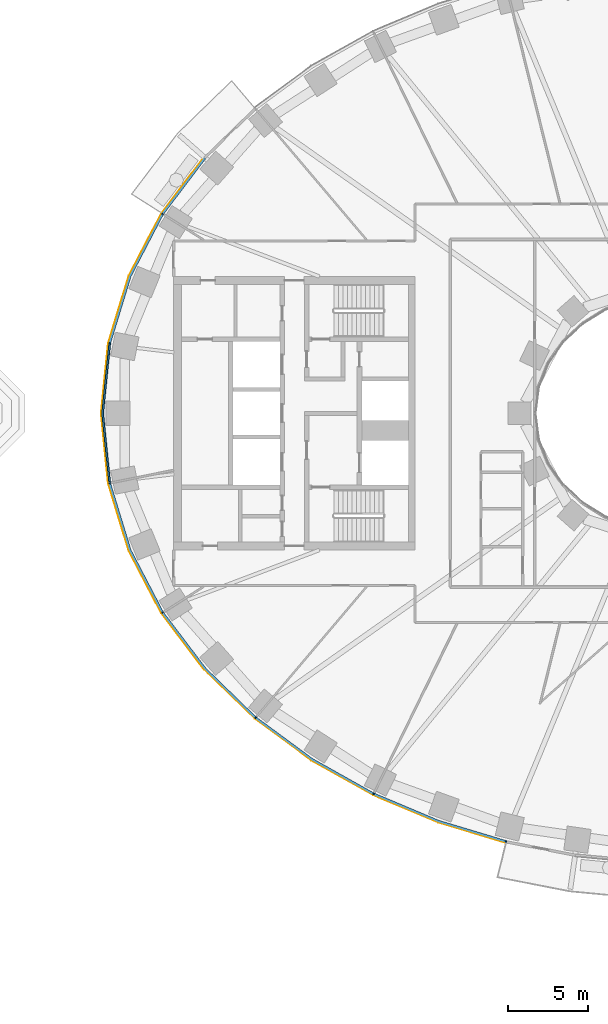
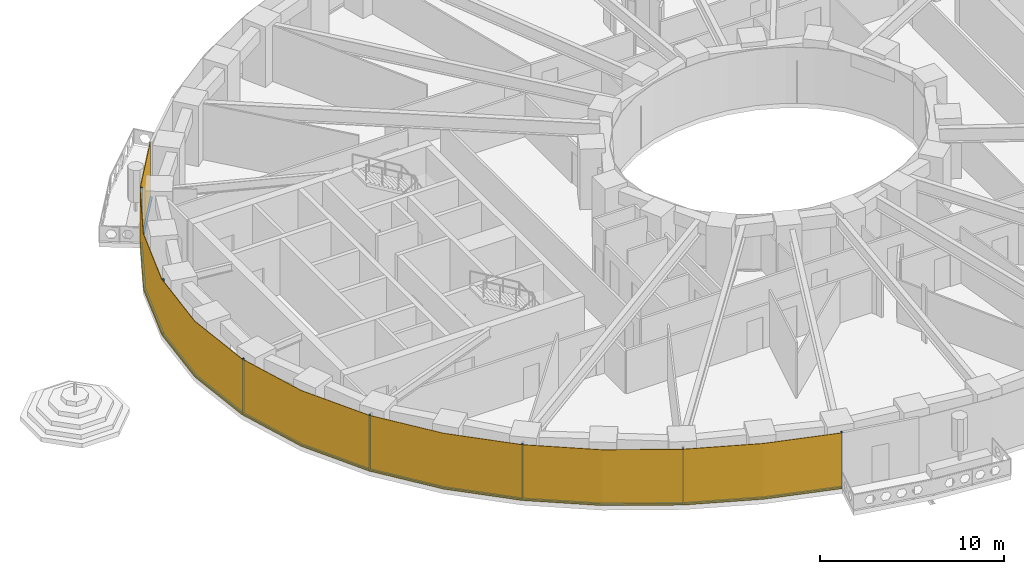
# One storey, part 8 of 20: 14 members, 1 curtain wall.
"""IFC4 building model written with IfcOpenShell, lengths in metres."""

from ifc_helpers import new_model, si_unit, direction, frame, origin, origin_2d, place, context, subcontext, project, spatial, polyline, rectangle, outline, extrude, material, layer, layer_set, material_profile, profile_set, type_object, element, aggregate, save


model = new_model("IFC4")

# Units and contexts
model_context = context("Model", 3, precision=1e-05, world=origin(), true_north=direction((0.0, 1.0)))
body_context = subcontext(model_context, "Body", "Model", "MODEL_VIEW")
ifc_project = project(units=[si_unit("LENGTHUNIT", "METRE"), si_unit("AREAUNIT", "SQUARE_METRE"), si_unit("VOLUMEUNIT", "CUBIC_METRE"), si_unit("PLANEANGLEUNIT", "RADIAN"), si_unit("MASSUNIT", "GRAM", prefix="KILO")], contexts=[model_context])

# Member
ifc_material_1 = material(Name="Aluminium 6063-T6 black anodised", Category="aluminium")
ifc_material_profile = material_profile(ifc_material_1, rectangle(XDim=0.1201171875, YDim=0.06005859375, at=origin_2d()), Name="120x60")
ifc_profile_set = profile_set([ifc_material_profile], Name="Aluminium 6063-T6 black anodised")
member_type_1 = type_object("IfcMemberType", Name="ENV-MULLION-A-120", PredefinedType="MULLION", material=ifc_profile_set)
site_placement = place(None, origin())
building_placement = place(site_placement, origin())
storey_placement = place(building_placement, frame((0.0, 0.0, 34.5)))
member_1_placement = place(storey_placement, frame((-32.177490234375, 12.385498046875, 0.0), z_axis=(0.0, 0.0, 1.0), x_axis=(0.844829880882, -0.53503501976, 0.0)))
member_1 = element("IfcMember", 1, at=member_1_placement, type_object=member_type_1, Name="Mullion A radial 21", PredefinedType="MULLION", context=body_context, shape_type="SweptSolid", body=[
    extrude(rectangle(XDim=0.1201171875, YDim=0.06005859375, at=origin_2d()), origin(), (0.0, 0.0, 1.0), 3.699951171875),
])

member_2_placement = place(storey_placement, frame((-35.470947265625, 4.340576171875, 0.0), z_axis=(0.0, 0.0, 1.0), x_axis=(0.980379083141, -0.19712141776, 0.0)))
member_2 = element("IfcMember", 2, at=member_2_placement, type_object=member_type_1, Name="Mullion A radial 23", PredefinedType="MULLION", context=body_context, shape_type="SweptSolid", body=[
    extrude(rectangle(XDim=0.1201171875, YDim=0.06005859375, at=origin_2d()), origin(), (0.0, 0.0, 1.0), 3.699951171875),
])

member_3_placement = place(storey_placement, frame((-35.470947265625, -4.340576171875, 0.0), z_axis=(0.0, 0.0, 1.0), x_axis=(0.980379083141, 0.19712141776, 0.0)))
member_3 = element("IfcMember", 3, at=member_3_placement, type_object=member_type_1, Name="Mullion A radial 25", PredefinedType="MULLION", context=body_context, shape_type="SweptSolid", body=[
    extrude(rectangle(XDim=0.1201171875, YDim=0.06005859375, at=origin_2d()), origin(), (0.0, 0.0, 1.0), 3.699951171875),
])

member_4_placement = place(storey_placement, frame((-32.177490234375, -12.385498046875, 0.0), z_axis=(0.0, 0.0, 1.0), x_axis=(0.844829880882, 0.53503501976, 0.0)))
member_4 = element("IfcMember", 4, at=member_4_placement, type_object=member_type_1, Name="Mullion A radial 27", PredefinedType="MULLION", context=body_context, shape_type="SweptSolid", body=[
    extrude(rectangle(XDim=0.1201171875, YDim=0.06005859375, at=origin_2d()), origin(), (0.0, 0.0, 1.0), 3.699951171875),
])

member_5_placement = place(storey_placement, frame((-26.403564453125, -18.9130859375, 0.0), z_axis=(0.0, 0.0, 1.0), x_axis=(0.646451313783, 0.762955240435, 0.0)))
member_5 = element("IfcMember", 5, at=member_5_placement, type_object=member_type_1, Name="Mullion A radial 29", PredefinedType="MULLION", context=body_context, shape_type="SweptSolid", body=[
    extrude(rectangle(XDim=0.1201171875, YDim=0.06005859375, at=origin_2d()), origin(), (0.0, 0.0, 1.0), 3.699951171875),
])

member_6_placement = place(storey_placement, frame((-19.06787109375, -23.6474609375, 0.0), z_axis=(0.0, 0.0, 1.0), x_axis=(0.439237769837, 0.898370848563, 0.0)))
member_6 = element("IfcMember", 6, at=member_6_placement, type_object=member_type_1, Name="Mullion A radial 31", PredefinedType="MULLION", context=body_context, shape_type="SweptSolid", body=[
    extrude(rectangle(XDim=0.1201171875, YDim=0.06005859375, at=origin_2d()), origin(), (0.0, 0.0, 1.0), 3.699951171875),
])

member_7_placement = place(storey_placement, frame((-10.84326171875, -26.60498046875, 0.0), z_axis=(0.0, 0.0, 1.0), x_axis=(0.239799081534, 0.970822538106, 0.0)))
member_7 = element("IfcMember", 7, at=member_7_placement, type_object=member_type_1, Name="Mullion A radial 33", PredefinedType="MULLION", context=body_context, shape_type="SweptSolid", body=[
    extrude(rectangle(XDim=0.1201171875, YDim=0.06005859375, at=origin_2d()), origin(), (0.0, 0.0, 1.0), 3.699951171875),
])

ifc_material_2 = material(Name="Aluminium 6063-T6 black anodised", Category="aluminium")
member_type_2 = type_object("IfcMemberType", Name="ENV-TRANSOM-A", PredefinedType="USERDEFINED", material=ifc_material_2)
member_8_placement = place(storey_placement, origin())
member_8 = element("IfcMember", 8, at=member_8_placement, type_object=member_type_2, Name="Transom A radial 20-21", ObjectType="TRANSOM", PredefinedType="USERDEFINED", context=body_context, shape_type="SweptSolid", body=[
    extrude(outline(polyline([(-29.595703125, 15.890869140625), (-32.211181640625, 12.43994140625), (-32.109375, 12.37548828125), (-29.505615234375, 15.811279296875), (-29.595703125, 15.890869140625)])), origin(), (0.0, 0.0, 1.0), 0.10009765625),
])

member_9_placement = place(storey_placement, origin())
member_9 = element("IfcMember", 9, at=member_9_placement, type_object=member_type_2, Name="Transom A radial 21-23", ObjectType="TRANSOM", PredefinedType="USERDEFINED", context=body_context, shape_type="SweptSolid", body=[
    extrude(outline(polyline([(-32.240966796875, 12.392578125), (-34.251220703125, 8.53662109375), (-35.521484375, 4.379150390625), (-35.4033203125, 4.355224609375), (-34.139892578125, 8.490966796875), (-32.139404296875, 12.328369140625), (-32.240966796875, 12.392578125)])), origin(), (0.0, 0.0, 1.0), 0.10009765625),
])

member_10_placement = place(storey_placement, origin())
member_10 = element("IfcMember", 10, at=member_10_placement, type_object=member_type_2, Name="Transom A radial 23-25", ObjectType="TRANSOM", PredefinedType="USERDEFINED", context=body_context, shape_type="SweptSolid", body=[
    extrude(outline(polyline([(-35.532470703125, 4.324462890625), (-35.9677734375, 0.0), (-35.532470703125, -4.324462890625), (-35.414306640625, -4.30078125), (-35.84716796875, 0.0), (-35.414306640625, 4.30078125), (-35.532470703125, 4.324462890625)])), origin(), (0.0, 0.0, 1.0), 0.10009765625),
])

member_11_placement = place(storey_placement, origin())
member_11 = element("IfcMember", 11, at=member_11_placement, type_object=member_type_2, Name="Transom A radial 25-27", ObjectType="TRANSOM", PredefinedType="USERDEFINED", context=body_context, shape_type="SweptSolid", body=[
    extrude(outline(polyline([(-35.521484375, -4.379150390625), (-34.251220703125, -8.53662109375), (-32.240966796875, -12.392578125), (-32.139404296875, -12.328369140625), (-34.139892578125, -8.490966796875), (-35.4033203125, -4.355224609375), (-35.521484375, -4.379150390625)])), origin(), (0.0, 0.0, 1.0), 0.10009765625),
])

member_12_placement = place(storey_placement, origin())
member_12 = element("IfcMember", 12, at=member_12_placement, type_object=member_type_2, Name="Transom A radial 27-29", ObjectType="TRANSOM", PredefinedType="USERDEFINED", context=body_context, shape_type="SweptSolid", body=[
    extrude(outline(polyline([(-32.211181640625, -12.43994140625), (-29.58349609375, -15.906982421875), (-26.46240234375, -18.939208984375), (-26.384765625, -18.847412109375), (-29.493408203125, -15.8271484375), (-32.109375, -12.37548828125), (-32.211181640625, -12.43994140625)])), origin(), (0.0, 0.0, 1.0), 0.10009765625),
])

member_13_placement = place(storey_placement, origin())
member_13 = element("IfcMember", 13, at=member_13_placement, type_object=member_type_2, Name="Transom A radial 29-31", ObjectType="TRANSOM", PredefinedType="USERDEFINED", context=body_context, shape_type="SweptSolid", body=[
    extrude(outline(polyline([(-26.419921875, -18.975341796875), (-22.9150390625, -21.556884765625), (-19.11865234375, -23.687744140625), (-19.06591796875, -23.57958984375), (-22.85009765625, -21.455810546875), (-26.342041015625, -18.883544921875), (-26.419921875, -18.975341796875)])), origin(), (0.0, 0.0, 1.0), 0.10009765625),
])

member_14_placement = place(storey_placement, origin())
member_14 = element("IfcMember", 14, at=member_14_placement, type_object=member_type_2, Name="Transom A radial 31-33", ObjectType="TRANSOM", PredefinedType="USERDEFINED", context=body_context, shape_type="SweptSolid", body=[
    extrude(outline(polyline([(-19.068359375, -23.71240234375), (-15.054443359375, -25.400146484375), (-10.884521484375, -26.655029296875), (-10.855712890625, -26.53857421875), (-15.013916015625, -25.287109375), (-19.015380859375, -23.604248046875), (-19.068359375, -23.71240234375)])), origin(), (0.0, 0.0, 1.0), 0.10009765625),
])

# Site, building, storey
site = spatial("IfcSite", under=ifc_project, at=site_placement, CompositionType="ELEMENT")
building = spatial("IfcBuilding", under=site, at=building_placement, Name="Noorbagh Ring Tower", CompositionType="ELEMENT")
storey = spatial("IfcBuildingStorey", under=building, at=storey_placement, Name="L06", CompositionType="ELEMENT", Elevation=34.5)

# Curtain wall
ifc_material_3 = material(Name="Glass dark tinted laminated", Category="glass")
ifc_layer = layer(ifc_material_3, 0.031982421875)
ifc_layer_set = layer_set([ifc_layer], Name="Glass dark tinted laminated")
curtain_wall_type = type_object("IfcCurtainWallType", Name="ENV-CW-A", PredefinedType="NOTDEFINED", material=ifc_layer_set)
curtain_wall_placement = place(storey_placement, origin())
curtain_wall = element("IfcCurtainWall", 15, at=curtain_wall_placement, inside=storey, type_object=curtain_wall_type, Name="Curtain wall A R20", PredefinedType="NOTDEFINED", context=body_context, shape_type="SweptSolid", body=[
    extrude(outline(polyline([(-29.61962890625, 15.912109375), (-32.255126953125, 12.434814453125), (-34.281005859375, 8.548828125), (-35.561279296875, 4.358642578125), (-36.0, 0.0), (-35.561279296875, -4.358642578125), (-34.281005859375, -8.548828125), (-32.255126953125, -12.434814453125), (-29.607666015625, -15.927978515625), (-26.463134765625, -18.9833984375), (-22.9326171875, -21.583740234375), (-19.108154296875, -23.730224609375), (-15.065185546875, -25.430419921875), (-10.884521484375, -26.6884765625), (-10.876708984375, -26.657470703125), (-15.054443359375, -25.400146484375), (-19.093994140625, -23.701416015625), (-22.9150390625, -21.556884765625), (-26.4423828125, -18.958740234375), (-29.58349609375, -15.906982421875), (-32.22802734375, -12.41748046875), (-34.251220703125, -8.53662109375), (-35.529541015625, -4.352294921875), (-35.9677734375, 0.0), (-35.529541015625, 4.352294921875), (-34.251220703125, 8.53662109375), (-32.22802734375, 12.41748046875), (-29.595703125, 15.890869140625), (-29.61962890625, 15.912109375)])), origin(), (0.0, 0.0, 1.0), 3.699951171875),
])

aggregate(curtain_wall, [member_1, member_2, member_3, member_4, member_5, member_6, member_7, member_8, member_9, member_10, member_11, member_12, member_13, member_14])

save(model, "model.ifc")
